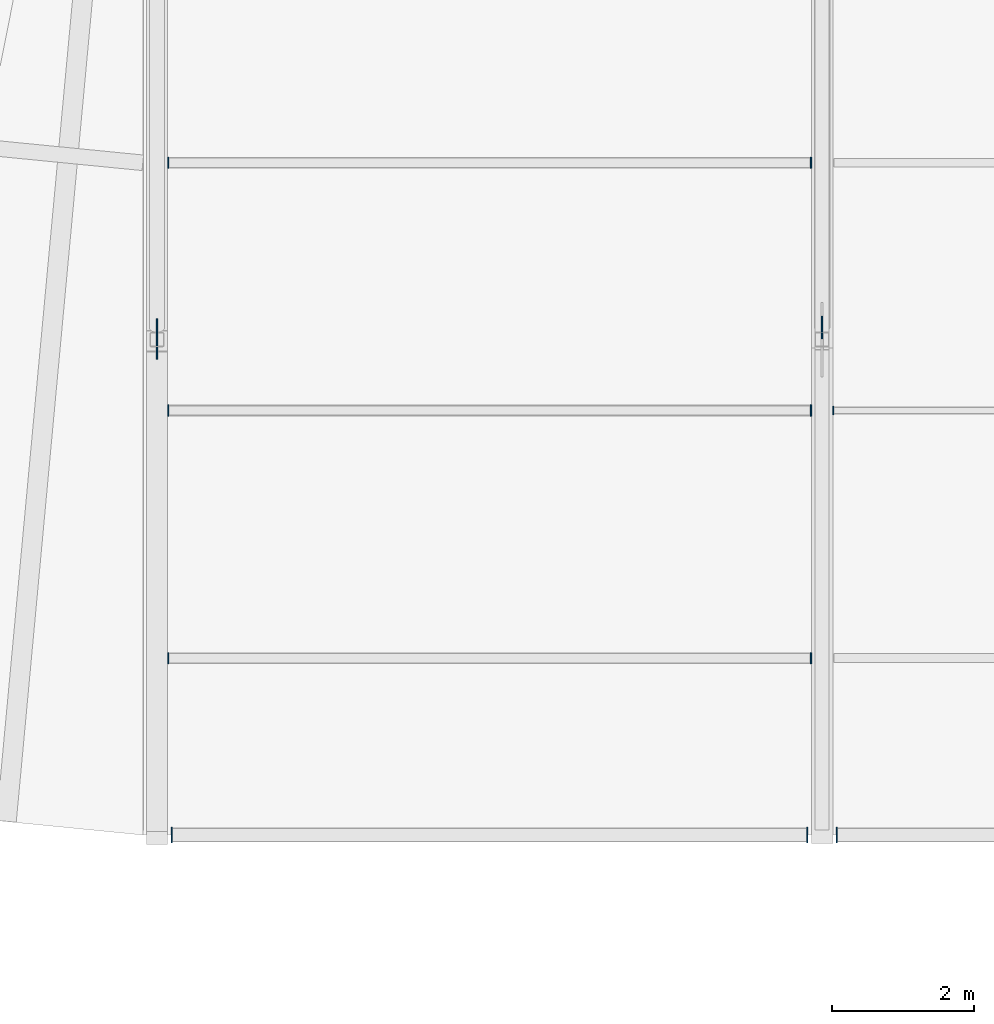
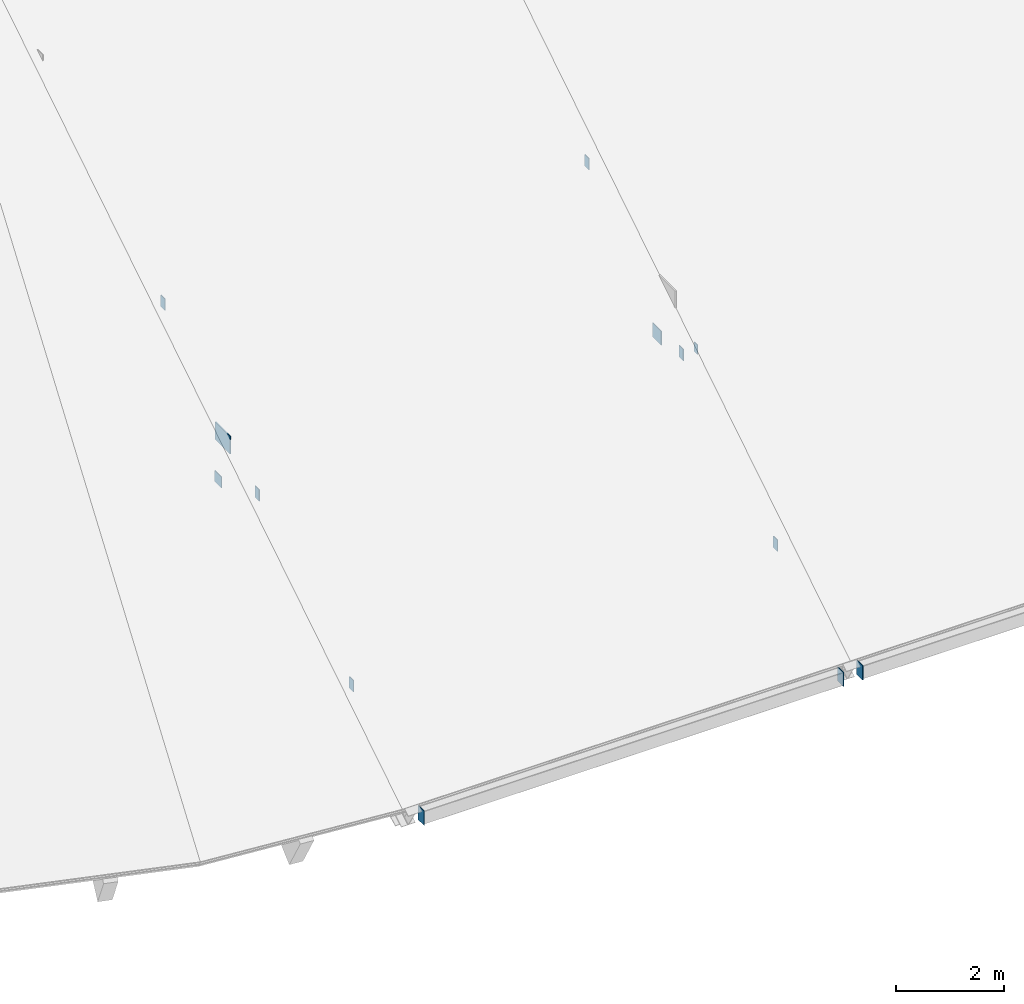
# One storey, part 33 of 66: 13 plates.
"""IFC4 building model written with IfcOpenShell, lengths in metres."""

import ifcopenshell
import ifcopenshell.guid

model = None  # the IFC model being written
_history = None  # IfcOwnerHistory: only IFC2X3 demands one
_inside = {}  # id of a spatial element -> (the spatial element, [elements in it])
_under = {}  # id of a project, library or spatial element -> (it, [spatial elements below it])
_declared = {}  # id of a project -> (the project, [libraries it declares])
_typed = {}  # id of a type object -> (the type object, [elements of that type])
_made_of = {}  # id of a material, layer set ... -> (it, [elements and type objects made of it])


def new_model(schema):
    """Start an empty IFC model of exactly this schema.

    Asked for "IFC4X3", IfcOpenShell would pick the latest addendum, in which some entities
    have other attributes; the version numbers below select the first issue.
    IFC2X3 requires an IfcOwnerHistory on every rooted entity: one is made here for all.
    """
    global model, _history
    if schema == "IFC4X3":
        model = ifcopenshell.file(schema_version=(4, 3, 0, 0))
    else:
        model = ifcopenshell.file(schema=schema)
    _inside.clear()
    _under.clear()
    _declared.clear()
    _typed.clear()
    _made_of.clear()
    _history = None
    if model.schema == "IFC2X3":
        org = make("IfcOrganization", Name="unknown")
        user = make(
            "IfcPersonAndOrganization",
            ThePerson=make("IfcPerson", FamilyName="unknown"),
            TheOrganization=org,
        )
        app = make(
            "IfcApplication",
            ApplicationDeveloper=org,
            Version="unknown",
            ApplicationFullName="unknown",
            ApplicationIdentifier="unknown",
        )
        _history = make(
            "IfcOwnerHistory",
            OwningUser=user,
            OwningApplication=app,
            ChangeAction="ADDED",
            CreationDate=0,
        )
    return model


def make(cls, **values):
    """One entity of the class cls with the attributes given. An attribute that is None is left unset."""
    return model.create_entity(
        cls, **{name: value for name, value in values.items() if value is not None}
    )


def rooted(cls, **values):
    """An entity with a GlobalId (a new one), such as an element, a storey or a relation."""
    return make(cls, GlobalId=ifcopenshell.guid.new(), OwnerHistory=_history, **values)


def si_unit(unit_type, name, prefix=None):
    """IfcSIUnit, for example si_unit("LENGTHUNIT", "METRE", prefix="MILLI")."""
    return make("IfcSIUnit", UnitType=unit_type, Prefix=prefix, Name=name)


def assignment(units):
    """IfcUnitAssignment: the units of a project."""
    return None if units is None else make("IfcUnitAssignment", Units=units)


def point(xyz):
    """IfcCartesianPoint."""
    return None if xyz is None else make("IfcCartesianPoint", Coordinates=xyz)


def direction(xyz):
    """IfcDirection."""
    return None if xyz is None else make("IfcDirection", DirectionRatios=xyz)


def frame(location, z_axis=None, x_axis=None):
    """IfcAxis2Placement3D, a coordinate frame: its origin and axes. An axis left out is left unset."""
    return make(
        "IfcAxis2Placement3D",
        Location=point(location),
        Axis=direction(z_axis),
        RefDirection=direction(x_axis),
    )


def frame_2d(location, x_axis=None):
    """IfcAxis2Placement2D, a coordinate frame in the plane: its origin and x axis."""
    return make(
        "IfcAxis2Placement2D", Location=point(location), RefDirection=direction(x_axis)
    )


def origin():
    """The frame at (0, 0, 0) with its axes left unset."""
    return frame((0.0, 0.0, 0.0))


def origin_2d():
    """The frame at (0, 0) in the plane with its x axis left unset."""
    return frame_2d((0.0, 0.0))


def place(relative_to, where):
    """IfcLocalPlacement: puts the frame where relative to a parent placement (None: the world)."""
    return make(
        "IfcLocalPlacement", PlacementRelTo=relative_to, RelativePlacement=where
    )


def context(
    kind, dimensions, precision=None, world=None, true_north=None, identifier=None
):
    """IfcGeometricRepresentationContext, for example the 3D "Model" context."""
    return make(
        "IfcGeometricRepresentationContext",
        ContextIdentifier=identifier,
        ContextType=kind,
        CoordinateSpaceDimension=dimensions,
        Precision=precision,
        WorldCoordinateSystem=world,
        TrueNorth=true_north,
    )


def subcontext(parent, identifier, kind, view, scale=None):
    """IfcGeometricRepresentationSubContext, for example "Body" below "Model"."""
    return make(
        "IfcGeometricRepresentationSubContext",
        ContextIdentifier=identifier,
        ContextType=kind,
        ParentContext=parent,
        TargetScale=scale,
        TargetView=view,
    )


def project(units=None, contexts=None):
    """IfcProject with its units and contexts."""
    return rooted(
        "IfcProject",
        Name="project",
        RepresentationContexts=contexts,
        UnitsInContext=assignment(units),
    )


def spatial(cls, under=None, at=None, **own):
    """A site, building, storey or space (cls), placed at a placement, below another one or the project."""
    s = rooted(cls, ObjectPlacement=at, **own)
    if under is not None:
        _under.setdefault(under.id(), (under, []))[1].append(s)
    return s


def profile(cls, at=None, kind="AREA", **sizes):
    """A parametric profile (cls). Its sizes go by their IFC names, for example OverallWidth=200.0."""
    return make(cls, ProfileType=kind, Position=at, **sizes)


def rectangle(**sizes):
    """IfcRectangleProfileDef."""
    return profile("IfcRectangleProfileDef", **sizes)


def extrude(swept, where, along, depth):
    """IfcExtrudedAreaSolid: the profile swept, set in the frame where, extruded along a direction by depth."""
    return make(
        "IfcExtrudedAreaSolid",
        SweptArea=swept,
        Position=where,
        ExtrudedDirection=direction(along),
        Depth=depth,
    )


def shape(context_of_items, identifier, shape_type, items):
    """IfcShapeRepresentation: the items that make up one representation, for example the "Body"."""
    return make(
        "IfcShapeRepresentation",
        ContextOfItems=context_of_items,
        RepresentationIdentifier=identifier,
        RepresentationType=shape_type,
        Items=items,
    )


def material(Name=None, Category=None):
    """IfcMaterial."""
    return make("IfcMaterial", Name=Name, Category=Category)


def layer(
    of_material, thickness, ventilated=None, Name=None, Category=None, Priority=None
):
    """IfcMaterialLayer: one layer of a wall or slab, of a material (None: an air gap)."""
    return make(
        "IfcMaterialLayer",
        Material=of_material,
        LayerThickness=thickness,
        IsVentilated=ventilated,
        Name=Name,
        Category=Category,
        Priority=Priority,
    )


def layer_set(layers, Name=None):
    """IfcMaterialLayerSet."""
    return make("IfcMaterialLayerSet", MaterialLayers=layers, LayerSetName=Name)


def made_of(thing, what):
    """Note that an element or type object is made of a material, layer set ...; save() writes the relation."""
    if what is not None:
        _made_of.setdefault(what.id(), (what, []))[1].append(thing)
    return thing


def type_object(cls, material=None, **own):
    """A type object (cls), such as IfcWallType, which elements share."""
    return made_of(rooted(cls, **own), material)


def element(
    cls,
    number,
    at=None,
    inside=None,
    cuts=None,
    type_object=None,
    material=None,
    context=None,
    identifier="Body",
    shape_type=None,
    held_by="IfcProductDefinitionShape",
    body=None,
    shapes=None,
    **own,
):
    """One element of the class cls, such as IfcWall. Its Tag is "e" and its number.

    at: its placement. inside: the storey or other place that contains it. cuts: it is an
    opening in that element (IfcRelVoidsElement). A single representation is given by context,
    identifier, shape_type and body (its items); several are given by shapes. held_by: the class
    of the entity that holds the representations. save() writes the other relations.
    """
    e = rooted(cls, Tag="e%d" % number, ObjectPlacement=at, **own)
    if body is not None:
        shapes = [shape(context, identifier, shape_type, body)]
    if shapes is not None:
        e.Representation = make(held_by, Representations=shapes)
    if inside is not None:
        _inside.setdefault(inside.id(), (inside, []))[1].append(e)
    if cuts is not None:
        rooted(
            "IfcRelVoidsElement", RelatingBuildingElement=cuts, RelatedOpeningElement=e
        )
    if type_object is not None:
        _typed.setdefault(type_object.id(), (type_object, []))[1].append(e)
    return made_of(e, material)


def aggregate(whole, parts):
    """IfcRelAggregates: a whole, such as a stair, and the parts it consists of."""
    return rooted("IfcRelAggregates", RelatingObject=whole, RelatedObjects=parts)


def save(model, path):
    """Write the relations noted so far, then the file.

    IfcRelAggregates (storeys below a building ...), IfcRelContainedInSpatialStructure (elements
    in a storey), IfcRelDefinesByType, IfcRelAssociatesMaterial and IfcRelDeclares: one each for
    every whole, place, type object, material and project.
    """
    for whole, parts in _under.values():
        aggregate(whole, parts)
    for where, things in _inside.values():
        rooted(
            "IfcRelContainedInSpatialStructure",
            RelatedElements=things,
            RelatingStructure=where,
        )
    for kind, things in _typed.values():
        rooted("IfcRelDefinesByType", RelatedObjects=things, RelatingType=kind)
    for what, things in _made_of.values():
        rooted("IfcRelAssociatesMaterial", RelatedObjects=things, RelatingMaterial=what)
    for by, libraries in _declared.values():
        rooted("IfcRelDeclares", RelatingContext=by, RelatedDefinitions=libraries)
    model.write(path)


model = new_model("IFC4")

# Units and contexts
model_context = context("Model", 3, precision=1e-05, world=origin(), true_north=direction((0.0, 1.0)))
body_context = subcontext(model_context, "Body", "Model", "MODEL_VIEW")
ifc_project = project(units=[si_unit("LENGTHUNIT", "METRE"), si_unit("AREAUNIT", "SQUARE_METRE"), si_unit("VOLUMEUNIT", "CUBIC_METRE"), si_unit("PLANEANGLEUNIT", "RADIAN"), si_unit("MASSUNIT", "GRAM", prefix="KILO")], contexts=[model_context])

# Site, building, storey
site_placement = place(None, origin())
site = spatial("IfcSite", under=ifc_project, at=site_placement, CompositionType="ELEMENT")
building_placement = place(site_placement, origin())
building = spatial("IfcBuilding", under=site, at=building_placement, Name="Yeouljin Market Hall", CompositionType="ELEMENT")
storey_placement = place(building_placement, frame((0.0, 0.0, 23.39990234375)))
storey = spatial("IfcBuildingStorey", under=building, at=storey_placement, Name="RF", CompositionType="ELEMENT", Elevation=23.39990234375)

# Plates
ifc_material_1 = material(Name="Steel SM355", Category="steel")
ifc_layer_1 = layer(ifc_material_1, 0.01611328125)
ifc_layer_set_1 = layer_set([ifc_layer_1], Name="Steel SM355")
plate_type_1 = type_object("IfcPlateType", Name="CapPlate_220x120x16", PredefinedType="SHEET", material=ifc_layer_set_1)
plate_1_placement = place(storey_placement, frame((45.157958984375, 42.0, -8.71826171875), z_axis=(0.0, 0.0, 1.0), x_axis=(0.0, 1.0, 0.0)))
element("IfcPlate", 1, at=plate_1_placement, inside=storey, type_object=plate_type_1, Name="Purlin end-cap plate 0085", PredefinedType="SHEET", context=body_context, shape_type="SweptSolid", body=[
    extrude(rectangle(XDim=0.1201171875, YDim=0.01611328125, at=origin_2d()), origin(), (0.0, 0.0, 1.0), 0.219970703125),
])
ifc_material_2 = material(Name="Steel SM355", Category="steel")
ifc_layer_2 = layer(ifc_material_2, 0.01611328125)
ifc_layer_set_2 = layer_set([ifc_layer_2], Name="Steel SM355")
plate_type_2 = type_object("IfcPlateType", Name="CapPlate_250x250x16", PredefinedType="SHEET", material=ifc_layer_set_2)
plate_2_placement = place(storey_placement, frame((35.60009765625, 43.172119140625, -9.065673828125), z_axis=(0.0, 0.0, 1.0), x_axis=(0.0, 1.0, 0.0)))
element("IfcPlate", 2, at=plate_2_placement, inside=storey, type_object=plate_type_2, Name="Hollow web end-cap plate 0001", PredefinedType="SHEET", context=body_context, shape_type="SweptSolid", body=[
    extrude(rectangle(XDim=0.25, YDim=0.01611328125, at=origin_2d()), origin(), (0.0, 0.0, 1.0), 0.25),
])
ifc_material_3 = material(Name="Steel SM355", Category="steel")
ifc_layer_3 = layer(ifc_material_3, 0.01611328125)
ifc_layer_set_3 = layer_set([ifc_layer_3], Name="Steel SM355")
plate_type_3 = type_object("IfcPlateType", Name="CapPlate_260x160x16", PredefinedType="SHEET", material=ifc_layer_set_3)
for number, where, z_axis, x_axis, name in (
    (3, (35.758056640625, 38.5, -10.9384765625), (0.0, 0.0, 1.0), (0.0, 1.0, 0.0), "Purlin end-cap plate 0049"),
    (4, (44.842041015625, 38.5, -10.9384765625), (0.0, 0.0, 1.0), (0.0, 1.0, 0.0), "Purlin end-cap plate 0050"),
    (5, (35.758056640625, 42.0, -8.73828125), (0.0, 0.0, 1.0), (0.0, 1.0, 0.0), "Purlin end-cap plate 0051"),
    (6, (44.842041015625, 42.0, -8.73828125), (0.0, 0.0, 1.0), (0.0, 1.0, 0.0), "Purlin end-cap plate 0052"),
    (7, (35.758056640625, 45.5, -6.53857421875), (0.0, 0.0, 1.0), (0.0, 1.0, 0.0), "Purlin end-cap plate 0053"),
    (8, (44.842041015625, 45.5, -6.53857421875), (0.0, 0.0, 1.0), (0.0, 1.0, 0.0), "Purlin end-cap plate 0054"),
):
    element("IfcPlate", number, at=place(storey_placement, frame(where, z_axis=z_axis, x_axis=x_axis)), inside=storey, type_object=plate_type_3, Name=name, PredefinedType="SHEET", context=body_context, shape_type="SweptSolid", body=[
        extrude(rectangle(XDim=0.159912109375, YDim=0.01611328125, at=origin_2d()), origin(), (0.0, 0.0, 1.0), 0.260009765625),
    ])
ifc_material_4 = material(Name="Steel SM355", Category="steel")
ifc_layer_4 = layer(ifc_material_4, 0.01611328125)
ifc_layer_set_4 = layer_set([ifc_layer_4], Name="Steel SM355")
plate_type_4 = type_object("IfcPlateType", Name="CapPlate_320x220x16", PredefinedType="SHEET", material=ifc_layer_set_4)
for number, where, z_axis, x_axis, name in (
    (9, (35.80810546875, 36.0, -12.43994140625), (0.0, 0.0, 1.0), (0.0, 1.0, 0.0), "Eaves girder end-cap plate S01-W"),
    (10, (44.7919921875, 36.0, -12.43994140625), (0.0, 0.0, 1.0), (0.0, 1.0, 0.0), "Eaves girder end-cap plate S01-E"),
    (11, (45.2080078125, 36.0, -12.43994140625), (0.0, 0.0, 1.0), (0.0, 1.0, 0.0), "Eaves girder end-cap plate S02-W"),
):
    element("IfcPlate", number, at=place(storey_placement, frame(where, z_axis=z_axis, x_axis=x_axis)), inside=storey, type_object=plate_type_4, Name=name, PredefinedType="SHEET", context=body_context, shape_type="SweptSolid", body=[
        extrude(rectangle(XDim=0.219970703125, YDim=0.01611328125, at=origin_2d()), origin(), (0.0, 0.0, 1.0), 0.320068359375),
    ])
ifc_material_5 = material(Name="Steel SM355", Category="steel")
ifc_layer_5 = layer(ifc_material_5, 0.02001953125)
ifc_layer_set_5 = layer_set([ifc_layer_5], Name="Steel SM355")
plate_type_5 = type_object("IfcPlateType", Name="CapPlate_320x320x20", PredefinedType="SHEET", material=ifc_layer_set_5)
plate_3_placement = place(storey_placement, frame((45.0, 43.172119140625, -9.1005859375), z_axis=(0.0, 0.0, 1.0), x_axis=(0.0, 1.0, 0.0)))
element("IfcPlate", 12, at=plate_3_placement, inside=storey, type_object=plate_type_5, Name="Hollow web end-cap plate 0005", PredefinedType="SHEET", context=body_context, shape_type="SweptSolid", body=[
    extrude(rectangle(XDim=0.320068359375, YDim=0.02001953125, at=origin_2d()), origin(), (0.0, 0.0, 1.0), 0.320068359375),
])
ifc_material_6 = material(Name="Steel SM355", Category="steel")
ifc_layer_6 = layer(ifc_material_6, 0.02001953125)
ifc_layer_set_6 = layer_set([ifc_layer_6], Name="Steel SM355")
plate_type_6 = type_object("IfcPlateType", Name="GussetPlate_550x400x20", PredefinedType="USERDEFINED", material=ifc_layer_set_6)
plate_4_placement = place(storey_placement, frame((35.60009765625, 43.0, -8.099853515625), z_axis=(0.0, 0.0, 1.0), x_axis=(0.0, 1.0, 0.0)))
element("IfcPlate", 13, at=plate_4_placement, inside=storey, type_object=plate_type_6, Name="Truss node gusset plate 001", ObjectType="GUSSET PLATE", PredefinedType="USERDEFINED", context=body_context, shape_type="SweptSolid", body=[
    extrude(rectangle(XDim=0.550048828125, YDim=0.02001953125, at=origin_2d()), origin(), (0.0, 0.0, 1.0), 0.39990234375),
])

save(model, "model.ifc")
